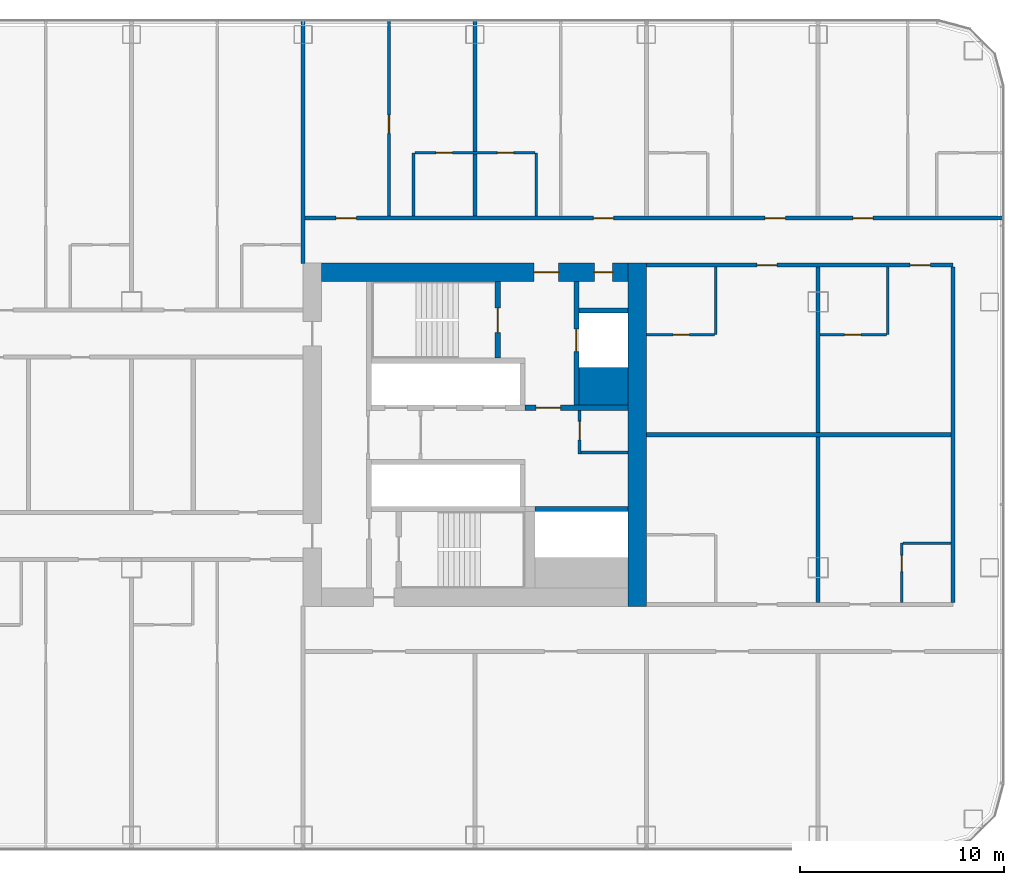
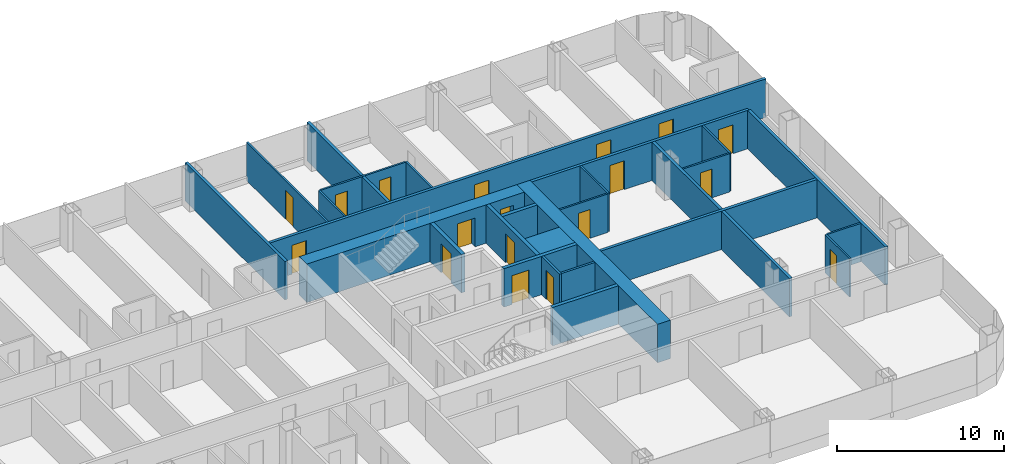
# One storey, part 18 of 28: 27 walls, 18 doors, 18 openings.
"""IFC4 building model written with IfcOpenShell, lengths in metres."""

from ifc_helpers import new_model, si_unit, direction, frame, frame_2d, origin, place, context, subcontext, project, spatial, rectangle, extrude, material, layer, layer_set, type_object, element, fill, save


model = new_model("IFC4")

# Units and contexts
model_context = context("Model", 3, precision=1e-05, world=origin(), true_north=direction((0.0, 1.0)))
body_context = subcontext(model_context, "Body", "Model", "MODEL_VIEW")
ifc_project = project(units=[si_unit("LENGTHUNIT", "METRE"), si_unit("AREAUNIT", "SQUARE_METRE"), si_unit("VOLUMEUNIT", "CUBIC_METRE"), si_unit("PLANEANGLEUNIT", "RADIAN"), si_unit("MASSUNIT", "GRAM", prefix="KILO")], contexts=[model_context])

# Site, building, storey
site_placement = place(None, origin())
site = spatial("IfcSite", under=ifc_project, at=site_placement, CompositionType="ELEMENT")
building_placement = place(site_placement, origin())
building = spatial("IfcBuilding", under=site, at=building_placement, Name="Hakoniwa Tower and Hamabe Station Hall", CompositionType="ELEMENT")
storey_placement = place(building_placement, frame((0.0, 0.0, 48.60009765625)))
storey = spatial("IfcBuildingStorey", under=building, at=storey_placement, Name="L13", CompositionType="ELEMENT", Elevation=48.60009765625)

# Wall
ifc_material_1 = material(Name="Gypsum board partition", Category="gypsum")
ifc_layer_1 = layer(ifc_material_1, 0.125)
ifc_layer_set_1 = layer_set([ifc_layer_1], Name="Bathroom Partition 125")
wall_type_1 = type_object("IfcWallType", Name="Bathroom Partition 125", PredefinedType="PARTITIONING", material=ifc_layer_set_1)
wall_1_placement = place(storey_placement, frame((46.16259765625, -5.300048828125, 0.0), z_axis=(0.0, 0.0, 1.0), x_axis=(1.0, 0.0, 0.0)))
element("IfcWall", 1, at=wall_1_placement, inside=storey, type_object=wall_type_1, Name="GW-L13-009", PredefinedType="PARTITIONING", context=body_context, shape_type="SweptSolid", body=[
    extrude(rectangle(XDim=2.33740234375, YDim=0.125, at=frame_2d((1.168701171875, 0.0))), origin(), (0.0, 0.0, 1.0), 2.7998046875),
])

# Wall, opening, door
wall_2_placement = place(storey_placement, frame((33.60009765625, 4.89990234375, 0.0), z_axis=(0.0, 0.0, 1.0), x_axis=(1.0, 0.0, 0.0)))
wall_2 = element("IfcWall", 2, at=wall_2_placement, inside=storey, type_object=wall_type_1, Name="GW-L13-018", PredefinedType="PARTITIONING", context=body_context, shape_type="SweptSolid", body=[
    extrude(rectangle(XDim=3.33740234375, YDim=0.125, at=frame_2d((1.668701171875, 0.0))), origin(), (0.0, 0.0, 1.0), 2.7998046875),
])
opening_1_placement = place(wall_2_placement, frame((1.300048828125, 0.0, 0.0)))
opening_1 = element("IfcOpeningElement", 3, at=opening_1_placement, cuts=wall_2, Name="Opening GD-G1E1-37", PredefinedType="OPENING", context=body_context, shape_type="SweptSolid", body=[
    extrude(rectangle(XDim=0.800048828125, YDim=2.10009765625, at=frame_2d((0.39990234375, 1.050048828125))), frame((0.0, 0.072509765625, 0.0), z_axis=(0.0, -1.0, 0.0), x_axis=(1.0, 0.0, 0.0)), (0.0, 0.0, 1.0), 0.14501953125),
])
ifc_material_2 = material(Name="Timber door leaf", Category="wood")
door_type_1 = type_object("IfcDoorType", Name="Bathroom Door 800", OperationType="SINGLE_SWING_LEFT", PredefinedType="DOOR", material=ifc_material_2)
door_1_placement = place(opening_1_placement, origin())
door_1 = element("IfcDoor", 4, at=door_1_placement, inside=storey, type_object=door_type_1, Name="Door GD-G1E1-37", OperationType="SINGLE_SWING_LEFT", OverallHeight=2.10009765625, OverallWidth=0.800048828125, PredefinedType="DOOR", context=body_context, shape_type="SweptSolid", body=[
    extrude(rectangle(XDim=0.800048828125, YDim=2.10009765625, at=frame_2d((0.39990234375, 1.050048828125))), frame((0.0, 0.02490234375, 0.0), z_axis=(0.0, -1.0, 0.0), x_axis=(1.0, 0.0, 0.0)), (0.0, 0.0, 1.0), 0.050048828125),
])
fill(opening_1, door_1)

wall_3_placement = place(storey_placement, frame((42.10009765625, 4.89990234375, 0.0), z_axis=(0.0, 0.0, 1.0), x_axis=(1.0, 0.0, 0.0)))
wall_3 = element("IfcWall", 5, at=wall_3_placement, inside=storey, type_object=wall_type_1, Name="GW-L13-019", PredefinedType="PARTITIONING", context=body_context, shape_type="SweptSolid", body=[
    extrude(rectangle(XDim=3.2373046875, YDim=0.125, at=frame_2d((1.61865234375, 0.0))), origin(), (0.0, 0.0, 1.0), 2.7998046875),
])
opening_2_placement = place(wall_3_placement, frame((1.199951171875, 0.0, 0.0)))
opening_2 = element("IfcOpeningElement", 6, at=opening_2_placement, cuts=wall_3, Name="Opening GD-G1E1-38", PredefinedType="OPENING", context=body_context, shape_type="SweptSolid", body=[
    extrude(rectangle(XDim=0.800048828125, YDim=2.10009765625, at=frame_2d((0.39990234375, 1.050048828125))), frame((0.0, 0.072509765625, 0.0), z_axis=(0.0, -1.0, 0.0), x_axis=(1.0, 0.0, 0.0)), (0.0, 0.0, 1.0), 0.14501953125),
])
door_2_placement = place(opening_2_placement, origin())
door_2 = element("IfcDoor", 7, at=door_2_placement, inside=storey, type_object=door_type_1, Name="Door GD-G1E1-38", OperationType="SINGLE_SWING_LEFT", OverallHeight=2.10009765625, OverallWidth=0.800048828125, PredefinedType="DOOR", context=body_context, shape_type="SweptSolid", body=[
    extrude(rectangle(XDim=0.800048828125, YDim=2.10009765625, at=frame_2d((0.39990234375, 1.050048828125))), frame((0.0, 0.02490234375, 0.0), z_axis=(0.0, -1.0, 0.0), x_axis=(1.0, 0.0, 0.0)), (0.0, 0.0, 1.0), 0.050048828125),
])
fill(opening_2, door_2)

# Wall, openings, doors
wall_4_placement = place(storey_placement, frame((22.262451171875, 13.800048828125, 0.0), z_axis=(0.0, 0.0, 1.0), x_axis=(1.0, 0.0, 0.0)))
wall_4 = element("IfcWall", 8, at=wall_4_placement, inside=storey, type_object=wall_type_1, Name="GW-L13-029", PredefinedType="PARTITIONING", context=body_context, shape_type="SweptSolid", body=[
    extrude(rectangle(XDim=5.875, YDim=0.125, at=frame_2d((2.9375, 0.0))), origin(), (0.0, 0.0, 1.0), 2.7998046875),
])
opening_3_placement = place(wall_4_placement, frame((1.03759765625, 0.0, 0.0)))
opening_3 = element("IfcOpeningElement", 9, at=opening_3_placement, cuts=wall_4, Name="Opening GD-G1E1-61", PredefinedType="OPENING", context=body_context, shape_type="SweptSolid", body=[
    extrude(rectangle(XDim=0.800048828125, YDim=2.10009765625, at=frame_2d((0.39990234375, 1.050048828125))), frame((0.0, 0.072509765625, 0.0), z_axis=(0.0, -1.0, 0.0), x_axis=(1.0, 0.0, 0.0)), (0.0, 0.0, 1.0), 0.14501953125),
])
opening_4_placement = place(wall_4_placement, frame((4.03759765625, 0.0, 0.0)))
opening_4 = element("IfcOpeningElement", 10, at=opening_4_placement, cuts=wall_4, Name="Opening GD-G1E1-62", PredefinedType="OPENING", context=body_context, shape_type="SweptSolid", body=[
    extrude(rectangle(XDim=0.800048828125, YDim=2.10009765625, at=frame_2d((0.39990234375, 1.050048828125))), frame((0.0, 0.072509765625, 0.0), z_axis=(0.0, -1.0, 0.0), x_axis=(1.0, 0.0, 0.0)), (0.0, 0.0, 1.0), 0.14501953125),
])
door_3_placement = place(opening_3_placement, origin())
door_3 = element("IfcDoor", 11, at=door_3_placement, inside=storey, type_object=door_type_1, Name="Door GD-G1E1-61", OperationType="SINGLE_SWING_RIGHT", OverallHeight=2.10009765625, OverallWidth=0.800048828125, PredefinedType="DOOR", context=body_context, shape_type="SweptSolid", body=[
    extrude(rectangle(XDim=0.800048828125, YDim=2.10009765625, at=frame_2d((0.39990234375, 1.050048828125))), frame((0.0, 0.02490234375, 0.0), z_axis=(0.0, -1.0, 0.0), x_axis=(1.0, 0.0, 0.0)), (0.0, 0.0, 1.0), 0.050048828125),
])
fill(opening_3, door_3)
door_4_placement = place(opening_4_placement, origin())
door_4 = element("IfcDoor", 12, at=door_4_placement, inside=storey, type_object=door_type_1, Name="Door GD-G1E1-62", OperationType="SINGLE_SWING_LEFT", OverallHeight=2.10009765625, OverallWidth=0.800048828125, PredefinedType="DOOR", context=body_context, shape_type="SweptSolid", body=[
    extrude(rectangle(XDim=0.800048828125, YDim=2.10009765625, at=frame_2d((0.39990234375, 1.050048828125))), frame((0.0, 0.02490234375, 0.0), z_axis=(0.0, -1.0, 0.0), x_axis=(1.0, 0.0, 0.0)), (0.0, 0.0, 1.0), 0.050048828125),
])
fill(opening_4, door_4)

# Walls
for number, where, z_axis, x_axis, name in (
    (13, (22.199951171875, 10.699951171875, 0.0), (0.0, 0.0, 1.0), (0.0, 1.0, 0.0), "GW-L13-083"),
    (14, (28.199951171875, 10.699951171875, 0.0), (0.0, 0.0, 1.0), (0.0, 1.0, 0.0), "GW-L13-086"),
):
    element("IfcWall", number, at=place(storey_placement, frame(where, z_axis=z_axis, x_axis=x_axis)), inside=storey, type_object=wall_type_1, Name=name, PredefinedType="PARTITIONING", context=body_context, shape_type="SweptSolid", body=[
        extrude(rectangle(XDim=3.10009765625, YDim=0.125, at=frame_2d((1.550048828125, 0.0))), origin(), (0.0, 0.0, 1.0), 2.7998046875),
    ])
for number, where, z_axis, x_axis, name in (
    (15, (37.0, 4.89990234375, 0.0), (0.0, 0.0, 1.0), (0.0, 1.0, 0.0), "GW-L13-092"),
    (16, (45.39990234375, 4.89990234375, 0.0), (0.0, 0.0, 1.0), (0.0, 1.0, 0.0), "GW-L13-097"),
):
    element("IfcWall", number, at=place(storey_placement, frame(where, z_axis=z_axis, x_axis=x_axis)), inside=storey, type_object=wall_type_1, Name=name, PredefinedType="PARTITIONING", context=body_context, shape_type="SweptSolid", body=[
        extrude(rectangle(XDim=3.300048828125, YDim=0.125, at=frame_2d((1.64990234375, 0.0))), origin(), (0.0, 0.0, 1.0), 2.7998046875),
    ])

# Wall, opening, door
wall_5_placement = place(storey_placement, frame((46.10009765625, -8.199951171875, 0.0), z_axis=(0.0, 0.0, 1.0), x_axis=(0.0, 1.0, 0.0)))
wall_5 = element("IfcWall", 17, at=wall_5_placement, inside=storey, type_object=wall_type_1, Name="GW-L13-098", PredefinedType="PARTITIONING", context=body_context, shape_type="SweptSolid", body=[
    extrude(rectangle(XDim=2.89990234375, YDim=0.125, at=frame_2d((1.449951171875, 0.0))), origin(), (0.0, 0.0, 1.0), 2.7998046875),
])
opening_5_placement = place(wall_5_placement, frame((1.5, 0.0, 0.0)))
opening_5 = element("IfcOpeningElement", 18, at=opening_5_placement, cuts=wall_5, Name="Opening GD-G1E1-76", PredefinedType="OPENING", context=body_context, shape_type="SweptSolid", body=[
    extrude(rectangle(XDim=0.800048828125, YDim=2.10009765625, at=frame_2d((0.39990234375, 1.050048828125))), frame((0.0, 0.072509765625, 0.0), z_axis=(0.0, -1.0, 0.0), x_axis=(1.0, 0.0, 0.0)), (0.0, 0.0, 1.0), 0.14501953125),
])
door_5_placement = place(opening_5_placement, origin())
door_5 = element("IfcDoor", 19, at=door_5_placement, inside=storey, type_object=door_type_1, Name="Door GD-G1E1-76", OperationType="SINGLE_SWING_RIGHT", OverallHeight=2.10009765625, OverallWidth=0.800048828125, PredefinedType="DOOR", context=body_context, shape_type="SweptSolid", body=[
    extrude(rectangle(XDim=0.800048828125, YDim=2.10009765625, at=frame_2d((0.39990234375, 1.050048828125))), frame((0.0, 0.02490234375, 0.0), z_axis=(0.0, -1.0, 0.0), x_axis=(1.0, 0.0, 0.0)), (0.0, 0.0, 1.0), 0.050048828125),
])
fill(opening_5, door_5)

ifc_material_3 = material(Name="Gypsum board partition")
ifc_layer_2 = layer(ifc_material_3, 0.14990234375)
ifc_layer_set_2 = layer_set([ifc_layer_2], Name="CORE PARTITION 150 EI 60")
wall_type_2 = type_object("IfcWallType", Name="CORE PARTITION 150 EI 60", PredefinedType="PARTITIONING", material=ifc_layer_set_2)
wall_6_placement = place(storey_placement, frame((30.324951171875, -0.949951171875, 0.0), z_axis=(0.0, 0.0, 1.0), x_axis=(0.0, 1.0, 0.0)))
wall_6 = element("IfcWall", 20, at=wall_6_placement, inside=storey, type_object=wall_type_2, Name="Core partition PW0 east", PredefinedType="PARTITIONING", context=body_context, shape_type="SweptSolid", body=[
    extrude(rectangle(XDim=2.14990234375, YDim=0.14990234375, at=frame_2d((1.074951171875, 0.0))), origin(), (0.0, 0.0, 1.0), 2.7998046875),
])
opening_6_placement = place(wall_6_placement, frame((0.699951171875, 0.0, 0.0)))
opening_6 = element("IfcOpeningElement", 21, at=opening_6_placement, cuts=wall_6, Name="Opening CD-E-RM1-9", PredefinedType="OPENING", context=body_context, shape_type="SweptSolid", body=[
    extrude(rectangle(XDim=0.89990234375, YDim=2.10009765625, at=frame_2d((0.449951171875, 1.050048828125))), frame((0.0, 0.0849609375, 0.0), z_axis=(0.0, -1.0, 0.0), x_axis=(1.0, 0.0, 0.0)), (0.0, 0.0, 1.0), 0.169921875),
])
ifc_material_4 = material(Name="Steel fire door", Category="steel")
door_type_2 = type_object("IfcDoorType", Name="CORE DOOR 900 FD30", OperationType="NOTDEFINED", PredefinedType="DOOR", material=ifc_material_4)
door_6_placement = place(opening_6_placement, origin())
door_6 = element("IfcDoor", 22, at=door_6_placement, inside=storey, type_object=door_type_2, Name="Store room door", OperationType="SINGLE_SWING_RIGHT", OverallHeight=2.10009765625, OverallWidth=0.89990234375, PredefinedType="DOOR", context=body_context, shape_type="SweptSolid", body=[
    extrude(rectangle(XDim=0.89990234375, YDim=2.10009765625, at=frame_2d((0.449951171875, 1.050048828125))), frame((0.0, 0.02490234375, 0.0), z_axis=(0.0, -1.0, 0.0), x_axis=(1.0, 0.0, 0.0)), (0.0, 0.0, 1.0), 0.050048828125),
])
fill(opening_6, door_6)

# Walls
wall_7_placement = place(storey_placement, frame((30.39990234375, -0.875, 0.0), z_axis=(0.0, 0.0, 1.0), x_axis=(1.0, 0.0, 0.0)))
element("IfcWall", 23, at=wall_7_placement, inside=storey, type_object=wall_type_2, Name="Core partition PS east", PredefinedType="PARTITIONING", context=body_context, shape_type="SweptSolid", body=[
    extrude(rectangle(XDim=2.300048828125, YDim=0.14990234375, at=frame_2d((1.14990234375, 0.0))), origin(), (0.0, 0.0, 1.0), 2.7998046875),
])
ifc_material_5 = material(Name="Concrete C80", Category="concrete")
ifc_layer_3 = layer(ifc_material_5, 0.89990234375)
ifc_layer_set_3 = layer_set([ifc_layer_3], Name="CORE WALL 900 C80")
wall_type_3 = type_object("IfcWallType", Name="CORE WALL 900 C80", PredefinedType="SHEAR", material=ifc_layer_set_3)
wall_8_placement = place(storey_placement, frame((33.14990234375, -8.39990234375, 0.0), z_axis=(0.0, 0.0, 1.0), x_axis=(0.0, 1.0, 0.0)))
element("IfcWall", 24, at=wall_8_placement, inside=storey, type_object=wall_type_3, Name="Core wall OUTER east", PredefinedType="SHEAR", context=body_context, shape_type="SweptSolid", body=[
    extrude(rectangle(XDim=16.7998046875, YDim=0.89990234375, at=frame_2d((8.39990234375, 0.0))), origin(), (0.0, 0.0, 1.0), 2.7998046875),
])

# Wall, openings, doors
wall_9_placement = place(storey_placement, frame((17.699951171875, 7.949951171875, 0.0), z_axis=(0.0, 0.0, 1.0), x_axis=(1.0, 0.0, 0.0)))
wall_9 = element("IfcWall", 25, at=wall_9_placement, inside=storey, type_object=wall_type_3, Name="Core wall NORTH east", PredefinedType="SHEAR", context=body_context, shape_type="SweptSolid", body=[
    extrude(rectangle(XDim=15.0, YDim=0.89990234375, at=frame_2d((7.5, 0.0))), origin(), (0.0, 0.0, 1.0), 2.7998046875),
])
opening_7_placement = place(wall_9_placement, frame((10.39990234375, 0.0, 0.0)))
opening_7 = element("IfcOpeningElement", 26, at=opening_7_placement, cuts=wall_9, Name="Opening CD-E-FN1-12", PredefinedType="OPENING", context=body_context, shape_type="SweptSolid", body=[
    extrude(rectangle(XDim=1.199951171875, YDim=2.10009765625, at=frame_2d((0.60009765625, 1.050048828125))), frame((0.0, 0.4599609375, 0.0), z_axis=(0.0, -1.0, 0.0), x_axis=(1.0, 0.0, 0.0)), (0.0, 0.0, 1.0), 0.919921875),
])
opening_8_placement = place(wall_9_placement, frame((13.35009765625, 0.0, 0.0)))
opening_8 = element("IfcOpeningElement", 27, at=opening_8_placement, cuts=wall_9, Name="Opening CD-E-FN2-9", PredefinedType="OPENING", context=body_context, shape_type="SweptSolid", body=[
    extrude(rectangle(XDim=0.89990234375, YDim=2.10009765625, at=frame_2d((0.449951171875, 1.050048828125))), frame((0.0, 0.4599609375, 0.0), z_axis=(0.0, -1.0, 0.0), x_axis=(1.0, 0.0, 0.0)), (0.0, 0.0, 1.0), 0.919921875),
])
ifc_material_6 = material(Name="Steel fire door", Category="steel")
door_type_3 = type_object("IfcDoorType", Name="CORE DOOR 1200 FD60", OperationType="DOUBLE_DOOR_SINGLE_SWING", PredefinedType="DOOR", material=ifc_material_6)
door_7_placement = place(opening_7_placement, origin())
door_7 = element("IfcDoor", 28, at=door_7_placement, inside=storey, type_object=door_type_3, Name="Stair vestibule door to the fire-fighting lobby", OperationType="DOUBLE_DOOR_SINGLE_SWING", OverallHeight=2.10009765625, OverallWidth=1.199951171875, PredefinedType="DOOR", context=body_context, shape_type="SweptSolid", body=[
    extrude(rectangle(XDim=1.199951171875, YDim=2.10009765625, at=frame_2d((0.60009765625, 1.050048828125))), frame((0.0, 0.02490234375, 0.0), z_axis=(0.0, -1.0, 0.0), x_axis=(1.0, 0.0, 0.0)), (0.0, 0.0, 1.0), 0.050048828125),
])
fill(opening_7, door_7)
door_8_placement = place(opening_8_placement, origin())
door_8 = element("IfcDoor", 29, at=door_8_placement, inside=storey, type_object=door_type_2, Name="Riser access door", OperationType="SINGLE_SWING_LEFT", OverallHeight=2.10009765625, OverallWidth=0.89990234375, PredefinedType="DOOR", context=body_context, shape_type="SweptSolid", body=[
    extrude(rectangle(XDim=0.89990234375, YDim=2.10009765625, at=frame_2d((0.449951171875, 1.050048828125))), frame((0.0, 0.02490234375, 0.0), z_axis=(0.0, -1.0, 0.0), x_axis=(1.0, 0.0, 0.0)), (0.0, 0.0, 1.0), 0.050048828125),
])
fill(opening_8, door_8)

# Wall
ifc_material_7 = material(Name="Concrete C80", Category="concrete")
ifc_layer_4 = layer(ifc_material_7, 1.85009765625)
ifc_layer_set_4 = layer_set([ifc_layer_4], Name="CORE WEB WALL 1850 C80")
wall_type_4 = type_object("IfcWallType", Name="CORE WEB WALL 1850 C80", PredefinedType="SHEAR", material=ifc_layer_set_4)
wall_10_placement = place(storey_placement, frame((30.300048828125, 2.375, 0.0), z_axis=(0.0, 0.0, 1.0), x_axis=(1.0, 0.0, 0.0)))
element("IfcWall", 30, at=wall_10_placement, inside=storey, type_object=wall_type_4, Name="Core wall CA east", PredefinedType="SHEAR", context=body_context, shape_type="SweptSolid", body=[
    extrude(rectangle(XDim=2.39990234375, YDim=1.85009765625, at=frame_2d((1.199951171875, 0.0))), origin(), (0.0, 0.0, 1.0), 2.7998046875),
])

# Wall, opening, door
ifc_material_8 = material(Name="Concrete C80", Category="concrete")
ifc_layer_5 = layer(ifc_material_8, 0.25)
ifc_layer_set_5 = layer_set([ifc_layer_5], Name="CORE WEB WALL 250 C80")
wall_type_5 = type_object("IfcWallType", Name="CORE WEB WALL 250 C80", PredefinedType="SHEAR", material=ifc_layer_set_5)
wall_11_placement = place(storey_placement, frame((26.324951171875, 3.75, 0.0), z_axis=(0.0, 0.0, 1.0), x_axis=(0.0, 1.0, 0.0)))
wall_11 = element("IfcWall", 31, at=wall_11_placement, inside=storey, type_object=wall_type_5, Name="Core wall NSE east", PredefinedType="SHEAR", context=body_context, shape_type="SweptSolid", body=[
    extrude(rectangle(XDim=3.75, YDim=0.25, at=frame_2d((1.875, 0.0))), origin(), (0.0, 0.0, 1.0), 2.7998046875),
])
opening_9_placement = place(wall_11_placement, frame((1.25, 0.0, 0.0)))
opening_9 = element("IfcOpeningElement", 32, at=opening_9_placement, cuts=wall_11, Name="Opening CD-E-SN-12", PredefinedType="OPENING", context=body_context, shape_type="SweptSolid", body=[
    extrude(rectangle(XDim=1.199951171875, YDim=2.10009765625, at=frame_2d((0.60009765625, 1.050048828125))), frame((0.0, 0.135009765625, 0.0), z_axis=(0.0, -1.0, 0.0), x_axis=(1.0, 0.0, 0.0)), (0.0, 0.0, 1.0), 0.27001953125),
])
door_9_placement = place(opening_9_placement, origin())
door_9 = element("IfcDoor", 33, at=door_9_placement, inside=storey, type_object=door_type_3, Name="Escape stair door", OperationType="DOUBLE_DOOR_SINGLE_SWING", OverallHeight=2.10009765625, OverallWidth=1.199951171875, PredefinedType="DOOR", context=body_context, shape_type="SweptSolid", body=[
    extrude(rectangle(XDim=1.199951171875, YDim=2.10009765625, at=frame_2d((0.60009765625, 1.050048828125))), frame((0.0, 0.02490234375, 0.0), z_axis=(0.0, -1.0, 0.0), x_axis=(1.0, 0.0, 0.0)), (0.0, 0.0, 1.0), 0.050048828125),
])
fill(opening_9, door_9)

wall_12_placement = place(storey_placement, frame((27.64990234375, 1.324951171875, 0.0), z_axis=(0.0, 0.0, 1.0), x_axis=(1.0, 0.0, 0.0)))
wall_12 = element("IfcWall", 34, at=wall_12_placement, inside=storey, type_object=wall_type_5, Name="Core wall ELN east", PredefinedType="SHEAR", context=body_context, shape_type="SweptSolid", body=[
    extrude(rectangle(XDim=5.050048828125, YDim=0.25, at=frame_2d((2.52490234375, 0.0))), origin(), (0.0, 0.0, 1.0), 2.7998046875),
])
opening_10_placement = place(wall_12_placement, frame((0.550048828125, 0.0, 0.0)))
opening_10 = element("IfcOpeningElement", 35, at=opening_10_placement, cuts=wall_12, Name="Opening CD-E-FL-12", PredefinedType="OPENING", context=body_context, shape_type="SweptSolid", body=[
    extrude(rectangle(XDim=1.199951171875, YDim=2.10009765625, at=frame_2d((0.60009765625, 1.050048828125))), frame((0.0, 0.135009765625, 0.0), z_axis=(0.0, -1.0, 0.0), x_axis=(1.0, 0.0, 0.0)), (0.0, 0.0, 1.0), 0.27001953125),
])
door_10_placement = place(opening_10_placement, origin())
door_10 = element("IfcDoor", 36, at=door_10_placement, inside=storey, type_object=door_type_3, Name="Stair vestibule door to the fire-fighting lobby", OperationType="DOUBLE_DOOR_SINGLE_SWING", OverallHeight=2.10009765625, OverallWidth=1.199951171875, PredefinedType="DOOR", context=body_context, shape_type="SweptSolid", body=[
    extrude(rectangle(XDim=1.199951171875, YDim=2.10009765625, at=frame_2d((0.60009765625, 1.050048828125))), frame((0.0, 0.02490234375, 0.0), z_axis=(0.0, -1.0, 0.0), x_axis=(1.0, 0.0, 0.0)), (0.0, 0.0, 1.0), 0.050048828125),
])
fill(opening_10, door_10)

wall_13_placement = place(storey_placement, frame((30.175048828125, 1.449951171875, 0.0), z_axis=(0.0, 0.0, 1.0), x_axis=(0.0, 1.0, 0.0)))
wall_13 = element("IfcWall", 37, at=wall_13_placement, inside=storey, type_object=wall_type_5, Name="Core wall FFF east", PredefinedType="SHEAR", context=body_context, shape_type="SweptSolid", body=[
    extrude(rectangle(XDim=6.050048828125, YDim=0.25, at=frame_2d((3.02490234375, 0.0))), origin(), (0.0, 0.0, 1.0), 2.7998046875),
])
opening_11_placement = place(wall_13_placement, frame((2.625, 0.0, 0.0)))
opening_11 = element("IfcOpeningElement", 38, at=opening_11_placement, cuts=wall_13, Name="Opening LD-FF2", PredefinedType="OPENING", context=body_context, shape_type="SweptSolid", body=[
    extrude(rectangle(XDim=1.10009765625, YDim=2.10009765625, at=frame_2d((0.550048828125, 1.050048828125))), frame((0.0, 0.135009765625, 0.0), z_axis=(0.0, -1.0, 0.0), x_axis=(1.0, 0.0, 0.0)), (0.0, 0.0, 1.0), 0.27001953125),
])
ifc_material_9 = material(Name="Stainless steel SUS304", Category="steel")
door_type_4 = type_object("IfcDoorType", Name="LIFT LANDING DOOR 1100 FD60", OperationType="DOUBLE_DOOR_SLIDING", PredefinedType="DOOR", material=ifc_material_9)
door_11_placement = place(opening_11_placement, origin())
door_11 = element("IfcDoor", 39, at=door_11_placement, inside=storey, type_object=door_type_4, Name="Lift landing door FF2 L13", OperationType="DOUBLE_DOOR_SLIDING", OverallHeight=2.10009765625, OverallWidth=1.10009765625, PredefinedType="DOOR", context=body_context, shape_type="SweptSolid", body=[
    extrude(rectangle(XDim=1.10009765625, YDim=2.10009765625, at=frame_2d((0.550048828125, 1.050048828125))), frame((0.0, 0.02490234375, 0.0), z_axis=(0.0, -1.0, 0.0), x_axis=(1.0, 0.0, 0.0)), (0.0, 0.0, 1.0), 0.050048828125),
])
fill(opening_11, door_11)

# Walls
wall_14_placement = place(storey_placement, frame((30.300048828125, 6.074951171875, 0.0), z_axis=(0.0, 0.0, 1.0), x_axis=(1.0, 0.0, 0.0)))
element("IfcWall", 40, at=wall_14_placement, inside=storey, type_object=wall_type_5, Name="Core wall C2 east", PredefinedType="SHEAR", context=body_context, shape_type="SweptSolid", body=[
    extrude(rectangle(XDim=2.39990234375, YDim=0.25, at=frame_2d((1.199951171875, 0.0))), origin(), (0.0, 0.0, 1.0), 2.7998046875),
])
wall_15_placement = place(storey_placement, frame((28.14990234375, -3.625, 0.0), z_axis=(0.0, 0.0, 1.0), x_axis=(1.0, 0.0, 0.0)))
element("IfcWall", 41, at=wall_15_placement, inside=storey, type_object=wall_type_5, Name="Core wall SEF east", PredefinedType="SHEAR", context=body_context, shape_type="SweptSolid", body=[
    extrude(rectangle(XDim=4.550048828125, YDim=0.25, at=frame_2d((2.27490234375, 0.0))), origin(), (0.0, 0.0, 1.0), 2.7998046875),
])

# Wall, openings, doors
ifc_material_10 = material(Name="Fire-rated gypsum board partition", Category="gypsum")
ifc_layer_6 = layer(ifc_material_10, 0.199951171875)
ifc_layer_set_6 = layer_set([ifc_layer_6], Name="Corridor Wall 200")
wall_type_6 = type_object("IfcWallType", Name="Corridor Wall 200", PredefinedType="PARTITIONING", material=ifc_layer_set_6)
wall_16_placement = place(storey_placement, frame((33.60009765625, 8.300048828125, 0.0), z_axis=(0.0, 0.0, 1.0), x_axis=(1.0, 0.0, 0.0)))
wall_16 = element("IfcWall", 42, at=wall_16_placement, inside=storey, type_object=wall_type_6, Name="GW-L13-022", PredefinedType="PARTITIONING", context=body_context, shape_type="SweptSolid", body=[
    extrude(rectangle(XDim=15.0, YDim=0.199951171875, at=frame_2d((7.5, 0.0))), origin(), (0.0, 0.0, 1.0), 2.7998046875),
])
opening_12_placement = place(wall_16_placement, frame((5.39990234375, 0.0, 0.0)))
opening_12 = element("IfcOpeningElement", 43, at=opening_12_placement, cuts=wall_16, Name="Opening GD-G1E1-45", PredefinedType="OPENING", context=body_context, shape_type="SweptSolid", body=[
    extrude(rectangle(XDim=1.0, YDim=2.10009765625, at=frame_2d((0.5, 1.050048828125))), frame((0.0, 0.10986328125, 0.0), z_axis=(0.0, -1.0, 0.0), x_axis=(1.0, 0.0, 0.0)), (0.0, 0.0, 1.0), 0.219970703125),
])
opening_13_placement = place(wall_16_placement, frame((12.89990234375, 0.0, 0.0)))
opening_13 = element("IfcOpeningElement", 44, at=opening_13_placement, cuts=wall_16, Name="Opening GD-G1E1-46", PredefinedType="OPENING", context=body_context, shape_type="SweptSolid", body=[
    extrude(rectangle(XDim=1.0, YDim=2.10009765625, at=frame_2d((0.5, 1.050048828125))), frame((0.0, 0.10986328125, 0.0), z_axis=(0.0, -1.0, 0.0), x_axis=(1.0, 0.0, 0.0)), (0.0, 0.0, 1.0), 0.219970703125),
])
ifc_material_11 = material(Name="Timber door leaf", Category="wood")
door_type_5 = type_object("IfcDoorType", Name="Guest Entrance Door 1000", OperationType="SINGLE_SWING_LEFT", PredefinedType="DOOR", material=ifc_material_11)
door_12_placement = place(opening_12_placement, origin())
door_12 = element("IfcDoor", 45, at=door_12_placement, inside=storey, type_object=door_type_5, Name="Door GD-G1E1-45", OperationType="SINGLE_SWING_RIGHT", OverallHeight=2.10009765625, OverallWidth=1.0, PredefinedType="DOOR", context=body_context, shape_type="SweptSolid", body=[
    extrude(rectangle(XDim=1.0, YDim=2.10009765625, at=frame_2d((0.5, 1.050048828125))), frame((0.0, 0.02490234375, 0.0), z_axis=(0.0, -1.0, 0.0), x_axis=(1.0, 0.0, 0.0)), (0.0, 0.0, 1.0), 0.050048828125),
])
fill(opening_12, door_12)
door_13_placement = place(opening_13_placement, origin())
door_13 = element("IfcDoor", 46, at=door_13_placement, inside=storey, type_object=door_type_5, Name="Door GD-G1E1-46", OperationType="SINGLE_SWING_LEFT", OverallHeight=2.10009765625, OverallWidth=1.0, PredefinedType="DOOR", context=body_context, shape_type="SweptSolid", body=[
    extrude(rectangle(XDim=1.0, YDim=2.10009765625, at=frame_2d((0.5, 1.050048828125))), frame((0.0, 0.02490234375, 0.0), z_axis=(0.0, -1.0, 0.0), x_axis=(1.0, 0.0, 0.0)), (0.0, 0.0, 1.0), 0.050048828125),
])
fill(opening_13, door_13)

wall_17_placement = place(storey_placement, frame((16.800048828125, 10.60009765625, 0.0), z_axis=(0.0, 0.0, 1.0), x_axis=(1.0, 0.0, 0.0)))
wall_17 = element("IfcWall", 47, at=wall_17_placement, inside=storey, type_object=wall_type_6, Name="GW-L13-028", PredefinedType="PARTITIONING", context=body_context, shape_type="SweptSolid", body=[
    extrude(rectangle(XDim=34.300048828125, YDim=0.199951171875, at=frame_2d((17.14990234375, 0.0))), origin(), (0.0, 0.0, 1.0), 2.7998046875),
])
opening_14_placement = place(wall_17_placement, frame((1.60009765625, 0.0, 0.0)))
opening_14 = element("IfcOpeningElement", 48, at=opening_14_placement, cuts=wall_17, Name="Opening GD-G1E1-57", PredefinedType="OPENING", context=body_context, shape_type="SweptSolid", body=[
    extrude(rectangle(XDim=1.0, YDim=2.10009765625, at=frame_2d((0.5, 1.050048828125))), frame((0.0, 0.10986328125, 0.0), z_axis=(0.0, -1.0, 0.0), x_axis=(1.0, 0.0, 0.0)), (0.0, 0.0, 1.0), 0.219970703125),
])
opening_15_placement = place(wall_17_placement, frame((14.199951171875, 0.0, 0.0)))
opening_15 = element("IfcOpeningElement", 49, at=opening_15_placement, cuts=wall_17, Name="Opening GD-G1E1-58", PredefinedType="OPENING", context=body_context, shape_type="SweptSolid", body=[
    extrude(rectangle(XDim=1.0, YDim=2.10009765625, at=frame_2d((0.5, 1.050048828125))), frame((0.0, 0.10986328125, 0.0), z_axis=(0.0, -1.0, 0.0), x_axis=(1.0, 0.0, 0.0)), (0.0, 0.0, 1.0), 0.219970703125),
])
opening_16_placement = place(wall_17_placement, frame((22.60009765625, 0.0, 0.0)))
opening_16 = element("IfcOpeningElement", 50, at=opening_16_placement, cuts=wall_17, Name="Opening GD-G1E1-59", PredefinedType="OPENING", context=body_context, shape_type="SweptSolid", body=[
    extrude(rectangle(XDim=1.0, YDim=2.10009765625, at=frame_2d((0.5, 1.050048828125))), frame((0.0, 0.10986328125, 0.0), z_axis=(0.0, -1.0, 0.0), x_axis=(1.0, 0.0, 0.0)), (0.0, 0.0, 1.0), 0.219970703125),
])
opening_17_placement = place(wall_17_placement, frame((26.89990234375, 0.0, 0.0)))
opening_17 = element("IfcOpeningElement", 51, at=opening_17_placement, cuts=wall_17, Name="Opening GD-G1E1-60", PredefinedType="OPENING", context=body_context, shape_type="SweptSolid", body=[
    extrude(rectangle(XDim=1.0, YDim=2.10009765625, at=frame_2d((0.5, 1.050048828125))), frame((0.0, 0.10986328125, 0.0), z_axis=(0.0, -1.0, 0.0), x_axis=(1.0, 0.0, 0.0)), (0.0, 0.0, 1.0), 0.219970703125),
])
door_14_placement = place(opening_14_placement, origin())
door_14 = element("IfcDoor", 52, at=door_14_placement, inside=storey, type_object=door_type_5, Name="Door GD-G1E1-57", OperationType="SINGLE_SWING_LEFT", OverallHeight=2.10009765625, OverallWidth=1.0, PredefinedType="DOOR", context=body_context, shape_type="SweptSolid", body=[
    extrude(rectangle(XDim=1.0, YDim=2.10009765625, at=frame_2d((0.5, 1.050048828125))), frame((0.0, 0.02490234375, 0.0), z_axis=(0.0, -1.0, 0.0), x_axis=(1.0, 0.0, 0.0)), (0.0, 0.0, 1.0), 0.050048828125),
])
fill(opening_14, door_14)
door_15_placement = place(opening_15_placement, origin())
door_15 = element("IfcDoor", 53, at=door_15_placement, inside=storey, type_object=door_type_5, Name="Door GD-G1E1-58", OperationType="SINGLE_SWING_RIGHT", OverallHeight=2.10009765625, OverallWidth=1.0, PredefinedType="DOOR", context=body_context, shape_type="SweptSolid", body=[
    extrude(rectangle(XDim=1.0, YDim=2.10009765625, at=frame_2d((0.5, 1.050048828125))), frame((0.0, 0.02490234375, 0.0), z_axis=(0.0, -1.0, 0.0), x_axis=(1.0, 0.0, 0.0)), (0.0, 0.0, 1.0), 0.050048828125),
])
fill(opening_15, door_15)
door_16_placement = place(opening_16_placement, origin())
door_16 = element("IfcDoor", 54, at=door_16_placement, inside=storey, type_object=door_type_5, Name="Door GD-G1E1-59", OperationType="SINGLE_SWING_LEFT", OverallHeight=2.10009765625, OverallWidth=1.0, PredefinedType="DOOR", context=body_context, shape_type="SweptSolid", body=[
    extrude(rectangle(XDim=1.0, YDim=2.10009765625, at=frame_2d((0.5, 1.050048828125))), frame((0.0, 0.02490234375, 0.0), z_axis=(0.0, -1.0, 0.0), x_axis=(1.0, 0.0, 0.0)), (0.0, 0.0, 1.0), 0.050048828125),
])
fill(opening_16, door_16)
door_17_placement = place(opening_17_placement, origin())
door_17 = element("IfcDoor", 55, at=door_17_placement, inside=storey, type_object=door_type_5, Name="Door GD-G1E1-60", OperationType="SINGLE_SWING_LEFT", OverallHeight=2.10009765625, OverallWidth=1.0, PredefinedType="DOOR", context=body_context, shape_type="SweptSolid", body=[
    extrude(rectangle(XDim=1.0, YDim=2.10009765625, at=frame_2d((0.5, 1.050048828125))), frame((0.0, 0.02490234375, 0.0), z_axis=(0.0, -1.0, 0.0), x_axis=(1.0, 0.0, 0.0)), (0.0, 0.0, 1.0), 0.050048828125),
])
fill(opening_17, door_17)

# Walls
ifc_material_12 = material(Name="Fire-rated gypsum board partition", Category="gypsum")
ifc_layer_7 = layer(ifc_material_12, 0.199951171875)
ifc_layer_set_7 = layer_set([ifc_layer_7], Name="Party Wall 200")
wall_type_7 = type_object("IfcWallType", Name="Party Wall 200", PredefinedType="PARTITIONING", material=ifc_layer_set_7)
wall_18_placement = place(storey_placement, frame((33.60009765625, 0.0, 0.0), z_axis=(0.0, 0.0, 1.0), x_axis=(1.0, 0.0, 0.0)))
element("IfcWall", 56, at=wall_18_placement, inside=storey, type_object=wall_type_7, Name="GW-L13-015", PredefinedType="PARTITIONING", context=body_context, shape_type="SweptSolid", body=[
    extrude(rectangle(XDim=14.89990234375, YDim=0.199951171875, at=frame_2d((7.449951171875, 0.0))), origin(), (0.0, 0.0, 1.0), 2.7998046875),
])
wall_19_placement = place(storey_placement, frame((16.800048828125, 8.389892578125, 0.0), z_axis=(0.0, 0.0, 1.0), x_axis=(0.0, 1.0, 0.0)))
element("IfcWall", 57, at=wall_19_placement, inside=storey, type_object=wall_type_7, Name="GW-L13-081", PredefinedType="PARTITIONING", context=body_context, shape_type="SweptSolid", body=[
    extrude(rectangle(XDim=11.91015625, YDim=0.199951171875, at=frame_2d((5.955078125, 0.0))), origin(), (0.0, 0.0, 1.0), 2.7998046875),
])
wall_20_placement = place(storey_placement, frame((25.199951171875, 10.699951171875, 0.0), z_axis=(0.0, 0.0, 1.0), x_axis=(0.0, 1.0, 0.0)))
element("IfcWall", 58, at=wall_20_placement, inside=storey, type_object=wall_type_7, Name="GW-L13-085", PredefinedType="PARTITIONING", context=body_context, shape_type="SweptSolid", body=[
    extrude(rectangle(XDim=9.60009765625, YDim=0.199951171875, at=frame_2d((4.800048828125, 0.0))), origin(), (0.0, 0.0, 1.0), 2.7998046875),
])
for number, where, z_axis, x_axis, name in (
    (59, (42.0, -8.199951171875, 0.0), (0.0, 0.0, 1.0), (0.0, 1.0, 0.0), "GW-L13-095"),
    (60, (48.60009765625, -8.199951171875, 0.0), (0.0, 0.0, 1.0), (0.0, 1.0, 0.0), "GW-L13-101"),
):
    element("IfcWall", number, at=place(storey_placement, frame(where, z_axis=z_axis, x_axis=x_axis)), inside=storey, type_object=wall_type_7, Name=name, PredefinedType="PARTITIONING", context=body_context, shape_type="SweptSolid", body=[
        extrude(rectangle(XDim=16.39990234375, YDim=0.199951171875, at=frame_2d((8.199951171875, 0.0))), origin(), (0.0, 0.0, 1.0), 2.7998046875),
    ])

# Wall, opening, door
ifc_material_13 = material(Name="Gypsum board partition", Category="gypsum")
ifc_layer_8 = layer(ifc_material_13, 0.125)
ifc_layer_set_8 = layer_set([ifc_layer_8], Name="Room Partition 125")
wall_type_8 = type_object("IfcWallType", Name="Room Partition 125", PredefinedType="PARTITIONING", material=ifc_layer_set_8)
wall_21_placement = place(storey_placement, frame((21.0, 10.699951171875, 0.0), z_axis=(0.0, 0.0, 1.0), x_axis=(0.0, 1.0, 0.0)))
wall_21 = element("IfcWall", 61, at=wall_21_placement, inside=storey, type_object=wall_type_8, Name="GW-L13-082", PredefinedType="PARTITIONING", context=body_context, shape_type="SweptSolid", body=[
    extrude(rectangle(XDim=9.60009765625, YDim=0.125, at=frame_2d((4.800048828125, 0.0))), origin(), (0.0, 0.0, 1.0), 2.7998046875),
])
opening_18_placement = place(wall_21_placement, frame((4.050048828125, 0.0, 0.0)))
opening_18 = element("IfcOpeningElement", 62, at=opening_18_placement, cuts=wall_21, Name="Opening GD-G1E1-73", PredefinedType="OPENING", context=body_context, shape_type="SweptSolid", body=[
    extrude(rectangle(XDim=0.89990234375, YDim=2.10009765625, at=frame_2d((0.449951171875, 1.050048828125))), frame((0.0, 0.072509765625, 0.0), z_axis=(0.0, -1.0, 0.0), x_axis=(1.0, 0.0, 0.0)), (0.0, 0.0, 1.0), 0.14501953125),
])
ifc_material_14 = material(Name="Timber door leaf", Category="wood")
door_type_6 = type_object("IfcDoorType", Name="Suite Interior Door 900", OperationType="SINGLE_SWING_LEFT", PredefinedType="DOOR", material=ifc_material_14)
door_18_placement = place(opening_18_placement, origin())
door_18 = element("IfcDoor", 63, at=door_18_placement, inside=storey, type_object=door_type_6, Name="Door GD-G1E1-73", OperationType="SINGLE_SWING_LEFT", OverallHeight=2.10009765625, OverallWidth=0.89990234375, PredefinedType="DOOR", context=body_context, shape_type="SweptSolid", body=[
    extrude(rectangle(XDim=0.89990234375, YDim=2.10009765625, at=frame_2d((0.449951171875, 1.050048828125))), frame((0.0, 0.02490234375, 0.0), z_axis=(0.0, -1.0, 0.0), x_axis=(1.0, 0.0, 0.0)), (0.0, 0.0, 1.0), 0.050048828125),
])
fill(opening_18, door_18)

save(model, "model.ifc")
